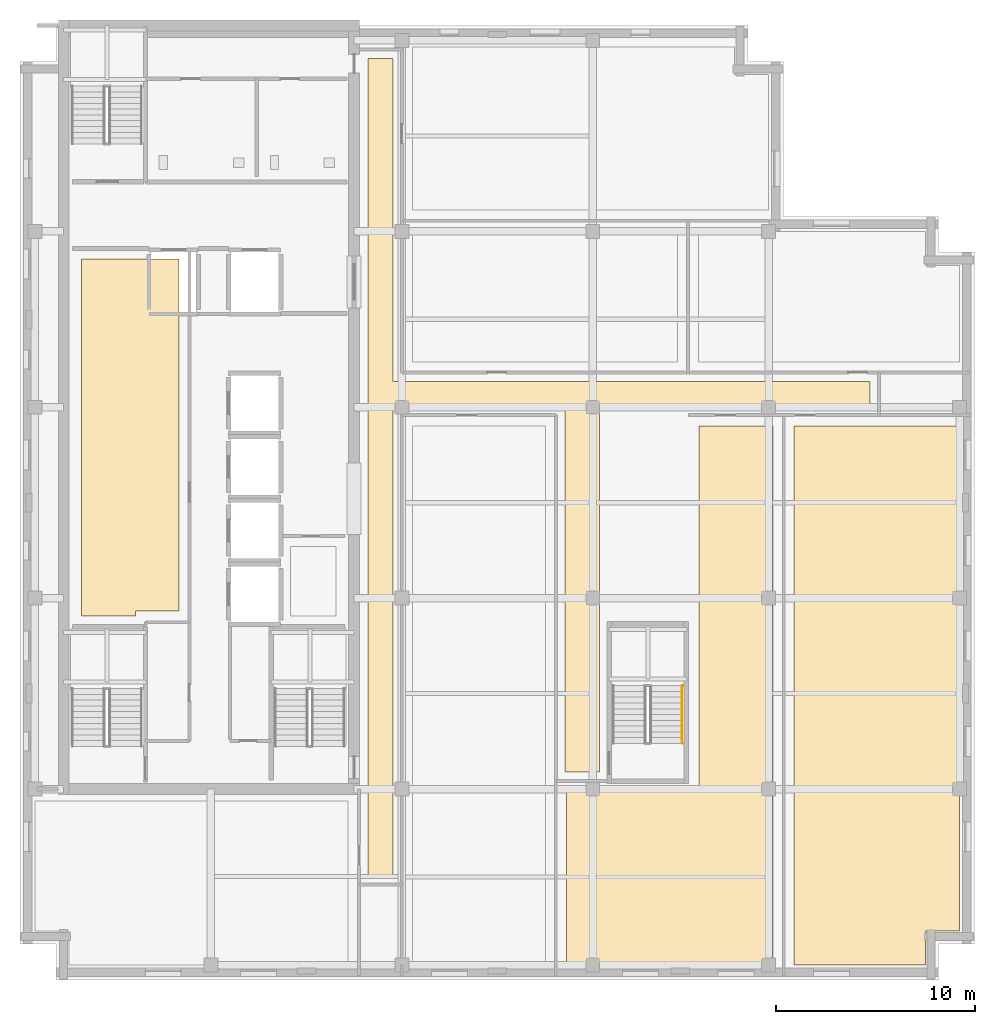
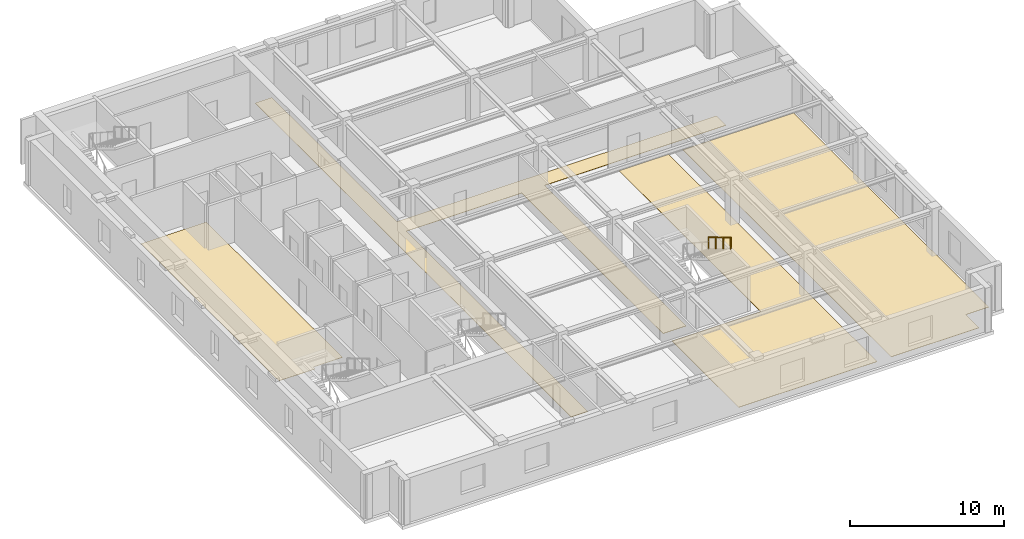
# One storey, part 7 of 10: 4 coverings, 1 railing.
"""IFC4 building model written with IfcOpenShell, lengths in metres."""

import ifcopenshell
import ifcopenshell.guid

model = None  # the IFC model being written
_history = None  # IfcOwnerHistory: only IFC2X3 demands one
_inside = {}  # id of a spatial element -> (the spatial element, [elements in it])
_under = {}  # id of a project, library or spatial element -> (it, [spatial elements below it])
_declared = {}  # id of a project -> (the project, [libraries it declares])
_typed = {}  # id of a type object -> (the type object, [elements of that type])
_made_of = {}  # id of a material, layer set ... -> (it, [elements and type objects made of it])


def new_model(schema):
    """Start an empty IFC model of exactly this schema.

    Asked for "IFC4X3", IfcOpenShell would pick the latest addendum, in which some entities
    have other attributes; the version numbers below select the first issue.
    IFC2X3 requires an IfcOwnerHistory on every rooted entity: one is made here for all.
    """
    global model, _history
    if schema == "IFC4X3":
        model = ifcopenshell.file(schema_version=(4, 3, 0, 0))
    else:
        model = ifcopenshell.file(schema=schema)
    _inside.clear()
    _under.clear()
    _declared.clear()
    _typed.clear()
    _made_of.clear()
    _history = None
    if model.schema == "IFC2X3":
        org = make("IfcOrganization", Name="unknown")
        user = make(
            "IfcPersonAndOrganization",
            ThePerson=make("IfcPerson", FamilyName="unknown"),
            TheOrganization=org,
        )
        app = make(
            "IfcApplication",
            ApplicationDeveloper=org,
            Version="unknown",
            ApplicationFullName="unknown",
            ApplicationIdentifier="unknown",
        )
        _history = make(
            "IfcOwnerHistory",
            OwningUser=user,
            OwningApplication=app,
            ChangeAction="ADDED",
            CreationDate=0,
        )
    return model


def make(cls, **values):
    """One entity of the class cls with the attributes given. An attribute that is None is left unset."""
    return model.create_entity(
        cls, **{name: value for name, value in values.items() if value is not None}
    )


def rooted(cls, **values):
    """An entity with a GlobalId (a new one), such as an element, a storey or a relation."""
    return make(cls, GlobalId=ifcopenshell.guid.new(), OwnerHistory=_history, **values)


def si_unit(unit_type, name, prefix=None):
    """IfcSIUnit, for example si_unit("LENGTHUNIT", "METRE", prefix="MILLI")."""
    return make("IfcSIUnit", UnitType=unit_type, Prefix=prefix, Name=name)


def assignment(units):
    """IfcUnitAssignment: the units of a project."""
    return None if units is None else make("IfcUnitAssignment", Units=units)


def point(xyz):
    """IfcCartesianPoint."""
    return None if xyz is None else make("IfcCartesianPoint", Coordinates=xyz)


def direction(xyz):
    """IfcDirection."""
    return None if xyz is None else make("IfcDirection", DirectionRatios=xyz)


def frame(location, z_axis=None, x_axis=None):
    """IfcAxis2Placement3D, a coordinate frame: its origin and axes. An axis left out is left unset."""
    return make(
        "IfcAxis2Placement3D",
        Location=point(location),
        Axis=direction(z_axis),
        RefDirection=direction(x_axis),
    )


def frame_2d(location, x_axis=None):
    """IfcAxis2Placement2D, a coordinate frame in the plane: its origin and x axis."""
    return make(
        "IfcAxis2Placement2D", Location=point(location), RefDirection=direction(x_axis)
    )


def origin():
    """The frame at (0, 0, 0) with its axes left unset."""
    return frame((0.0, 0.0, 0.0))


def origin_2d():
    """The frame at (0, 0) in the plane with its x axis left unset."""
    return frame_2d((0.0, 0.0))


def place(relative_to, where):
    """IfcLocalPlacement: puts the frame where relative to a parent placement (None: the world)."""
    return make(
        "IfcLocalPlacement", PlacementRelTo=relative_to, RelativePlacement=where
    )


def context(
    kind, dimensions, precision=None, world=None, true_north=None, identifier=None
):
    """IfcGeometricRepresentationContext, for example the 3D "Model" context."""
    return make(
        "IfcGeometricRepresentationContext",
        ContextIdentifier=identifier,
        ContextType=kind,
        CoordinateSpaceDimension=dimensions,
        Precision=precision,
        WorldCoordinateSystem=world,
        TrueNorth=true_north,
    )


def subcontext(parent, identifier, kind, view, scale=None):
    """IfcGeometricRepresentationSubContext, for example "Body" below "Model"."""
    return make(
        "IfcGeometricRepresentationSubContext",
        ContextIdentifier=identifier,
        ContextType=kind,
        ParentContext=parent,
        TargetScale=scale,
        TargetView=view,
    )


def project(units=None, contexts=None):
    """IfcProject with its units and contexts."""
    return rooted(
        "IfcProject",
        Name="project",
        RepresentationContexts=contexts,
        UnitsInContext=assignment(units),
    )


def spatial(cls, under=None, at=None, **own):
    """A site, building, storey or space (cls), placed at a placement, below another one or the project."""
    s = rooted(cls, ObjectPlacement=at, **own)
    if under is not None:
        _under.setdefault(under.id(), (under, []))[1].append(s)
    return s


def polyline(points):
    """IfcPolyline through the points."""
    return make("IfcPolyline", Points=[point(p) for p in points])


def profile(cls, at=None, kind="AREA", **sizes):
    """A parametric profile (cls). Its sizes go by their IFC names, for example OverallWidth=200.0."""
    return make(cls, ProfileType=kind, Position=at, **sizes)


def circle(**sizes):
    """IfcCircleProfileDef."""
    return profile("IfcCircleProfileDef", **sizes)


def outline(outer, holes=None, kind="AREA"):
    """IfcArbitraryClosedProfileDef: a profile drawn as a closed curve; with holes, ...WithVoids."""
    if holes is None:
        return make("IfcArbitraryClosedProfileDef", ProfileType=kind, OuterCurve=outer)
    return make(
        "IfcArbitraryProfileDefWithVoids",
        ProfileType=kind,
        OuterCurve=outer,
        InnerCurves=holes,
    )


def extrude(swept, where, along, depth):
    """IfcExtrudedAreaSolid: the profile swept, set in the frame where, extruded along a direction by depth."""
    return make(
        "IfcExtrudedAreaSolid",
        SweptArea=swept,
        Position=where,
        ExtrudedDirection=direction(along),
        Depth=depth,
    )


def shape(context_of_items, identifier, shape_type, items):
    """IfcShapeRepresentation: the items that make up one representation, for example the "Body"."""
    return make(
        "IfcShapeRepresentation",
        ContextOfItems=context_of_items,
        RepresentationIdentifier=identifier,
        RepresentationType=shape_type,
        Items=items,
    )


def material(Name=None, Category=None):
    """IfcMaterial."""
    return make("IfcMaterial", Name=Name, Category=Category)


def layer(
    of_material, thickness, ventilated=None, Name=None, Category=None, Priority=None
):
    """IfcMaterialLayer: one layer of a wall or slab, of a material (None: an air gap)."""
    return make(
        "IfcMaterialLayer",
        Material=of_material,
        LayerThickness=thickness,
        IsVentilated=ventilated,
        Name=Name,
        Category=Category,
        Priority=Priority,
    )


def layer_set(layers, Name=None):
    """IfcMaterialLayerSet."""
    return make("IfcMaterialLayerSet", MaterialLayers=layers, LayerSetName=Name)


def made_of(thing, what):
    """Note that an element or type object is made of a material, layer set ...; save() writes the relation."""
    if what is not None:
        _made_of.setdefault(what.id(), (what, []))[1].append(thing)
    return thing


def type_object(cls, material=None, **own):
    """A type object (cls), such as IfcWallType, which elements share."""
    return made_of(rooted(cls, **own), material)


def element(
    cls,
    number,
    at=None,
    inside=None,
    cuts=None,
    type_object=None,
    material=None,
    context=None,
    identifier="Body",
    shape_type=None,
    held_by="IfcProductDefinitionShape",
    body=None,
    shapes=None,
    **own,
):
    """One element of the class cls, such as IfcWall. Its Tag is "e" and its number.

    at: its placement. inside: the storey or other place that contains it. cuts: it is an
    opening in that element (IfcRelVoidsElement). A single representation is given by context,
    identifier, shape_type and body (its items); several are given by shapes. held_by: the class
    of the entity that holds the representations. save() writes the other relations.
    """
    e = rooted(cls, Tag="e%d" % number, ObjectPlacement=at, **own)
    if body is not None:
        shapes = [shape(context, identifier, shape_type, body)]
    if shapes is not None:
        e.Representation = make(held_by, Representations=shapes)
    if inside is not None:
        _inside.setdefault(inside.id(), (inside, []))[1].append(e)
    if cuts is not None:
        rooted(
            "IfcRelVoidsElement", RelatingBuildingElement=cuts, RelatedOpeningElement=e
        )
    if type_object is not None:
        _typed.setdefault(type_object.id(), (type_object, []))[1].append(e)
    return made_of(e, material)


def aggregate(whole, parts):
    """IfcRelAggregates: a whole, such as a stair, and the parts it consists of."""
    return rooted("IfcRelAggregates", RelatingObject=whole, RelatedObjects=parts)


def save(model, path):
    """Write the relations noted so far, then the file.

    IfcRelAggregates (storeys below a building ...), IfcRelContainedInSpatialStructure (elements
    in a storey), IfcRelDefinesByType, IfcRelAssociatesMaterial and IfcRelDeclares: one each for
    every whole, place, type object, material and project.
    """
    for whole, parts in _under.values():
        aggregate(whole, parts)
    for where, things in _inside.values():
        rooted(
            "IfcRelContainedInSpatialStructure",
            RelatedElements=things,
            RelatingStructure=where,
        )
    for kind, things in _typed.values():
        rooted("IfcRelDefinesByType", RelatedObjects=things, RelatingType=kind)
    for what, things in _made_of.values():
        rooted("IfcRelAssociatesMaterial", RelatedObjects=things, RelatingMaterial=what)
    for by, libraries in _declared.values():
        rooted("IfcRelDeclares", RelatingContext=by, RelatedDefinitions=libraries)
    model.write(path)


model = new_model("IFC4")

# Units and contexts
model_context = context("Model", 3, precision=1e-05, world=origin(), true_north=direction((0.0, 1.0)))
body_context = subcontext(model_context, "Body", "Model", "MODEL_VIEW")
ifc_project = project(units=[si_unit("LENGTHUNIT", "METRE"), si_unit("AREAUNIT", "SQUARE_METRE"), si_unit("VOLUMEUNIT", "CUBIC_METRE"), si_unit("PLANEANGLEUNIT", "RADIAN"), si_unit("MASSUNIT", "GRAM", prefix="KILO")], contexts=[model_context])

# Site, building, storey
site_placement = place(None, origin())
site = spatial("IfcSite", under=ifc_project, at=site_placement, CompositionType="ELEMENT")
building_placement = place(site_placement, origin())
building = spatial("IfcBuilding", under=site, at=building_placement, Name="Norrvale University Quadrangle", CompositionType="ELEMENT")
storey_placement = place(building_placement, frame((0.0, 0.0, 292.39990234375)))
storey = spatial("IfcBuildingStorey", under=building, at=storey_placement, Name="L74", CompositionType="ELEMENT", Elevation=292.39990234375)

# Coverings
ifc_material_1 = material(Name="Polished Terrazzo Flooring")
ifc_layer = layer(ifc_material_1, 0.02490234375, Name="Polished Terrazzo Flooring")
ifc_layer_set = layer_set([ifc_layer], Name="Polished Terrazzo Flooring")
covering_type = type_object("IfcCoveringType", Name="Covering Terrazzo Floor 30", PredefinedType="FLOORING", material=ifc_layer_set)
covering_1_placement = place(storey_placement, origin())
element("IfcCovering", 1, at=covering_1_placement, inside=storey, type_object=covering_type, Name="Terrazzo Flooring RM-L74-REC2", PredefinedType="FLOORING", context=body_context, shape_type="SweptSolid", body=[
    extrude(outline(polyline([(3.10009765625, 18.300048828125), (3.10009765625, 36.25), (8.0, 36.25), (8.0, 18.550048828125), (5.800048828125, 18.550048828125), (5.800048828125, 18.300048828125), (3.10009765625, 18.300048828125)])), origin(), (0.0, 0.0, 1.0), 0.025146484375),
])
covering_2_placement = place(storey_placement, origin())
element("IfcCovering", 2, at=covering_2_placement, inside=storey, type_object=covering_type, Name="Terrazzo Flooring RM-L74-CORR1", PredefinedType="FLOORING", context=body_context, shape_type="SweptSolid", body=[
    extrude(outline(polyline([(17.5, 5.25), (17.5, 46.35009765625), (18.75, 46.35009765625), (18.75, 30.10009765625), (42.75, 30.10009765625), (42.75, 28.85009765625), (29.1298828125, 28.85009765625), (29.1298828125, 10.449951171875), (27.39990234375, 10.449951171875), (27.39990234375, 28.85009765625), (18.75, 28.85009765625), (18.75, 5.25), (17.5, 5.25)])), origin(), (0.0, 0.0, 1.0), 0.025146484375),
])
covering_3_placement = place(storey_placement, origin())
element("IfcCovering", 3, at=covering_3_placement, inside=storey, type_object=covering_type, Name="Terrazzo Flooring RM-L74-SE2", PredefinedType="FLOORING", context=body_context, shape_type="SweptSolid", body=[
    extrude(outline(polyline([(27.47998046875, 9.449951171875), (34.14990234375, 9.449951171875), (34.14990234375, 27.8701171875), (37.8701171875, 27.8701171875), (37.8701171875, 0.75), (27.47998046875, 0.75), (27.47998046875, 9.449951171875)])), origin(), (0.0, 0.0, 1.0), 0.025146484375),
])
covering_4_placement = place(storey_placement, origin())
element("IfcCovering", 4, at=covering_4_placement, inside=storey, type_object=covering_type, Name="Terrazzo Flooring RM-L74-SE3", PredefinedType="FLOORING", context=body_context, shape_type="SweptSolid", body=[
    extrude(outline(polyline([(38.929931640625, 0.75), (38.929931640625, 27.8701171875), (47.25, 27.8701171875), (47.25, 2.469970703125), (45.530029296875, 2.469970703125), (45.530029296875, 0.75), (38.929931640625, 0.75)])), origin(), (0.0, 0.0, 1.0), 0.025146484375),
])

# Railing
ifc_material_2 = material(Name="Stainless Steel 316L Handrail", Category="steel")
railing_type = type_object("IfcRailingType", Name="Railing Stair Handrail 920", PredefinedType="HANDRAIL", material=ifc_material_2)
railing_placement = place(storey_placement, frame((33.31005859375, 14.800048828125, 2.07275390625)))
element("IfcRailing", 5, at=railing_placement, inside=storey, type_object=railing_type, Name="Stair Upper Flight Handrail ST-04 L74", PredefinedType="HANDRAIL", context=body_context, shape_type="SweptSolid", body=[
    extrude(circle(Radius=0.02392578125, at=origin_2d()), frame((0.0, 0.0, 0.89599609375), z_axis=(0.0, -0.859160404282, 0.51170636083), x_axis=(1.0, 0.0, 0.0)), (0.0, 0.0, 1.0), 3.37548828125),
    extrude(circle(Radius=0.02099609375, at=origin_2d()), origin(), (0.0, 0.0, 1.0), 0.871826171875),
    extrude(circle(Radius=0.02099609375, at=origin_2d()), frame((0.0, -0.966796875, 0.57568359375)), (0.0, 0.0, 1.0), 0.871826171875),
    extrude(circle(Radius=0.02099609375, at=origin_2d()), frame((0.0, -1.933349609375, 1.151611328125)), (0.0, 0.0, 1.0), 0.871826171875),
    extrude(circle(Radius=0.02099609375, at=origin_2d()), frame((0.0, -2.900146484375, 1.727294921875)), (0.0, 0.0, 1.0), 0.871826171875),
])

save(model, "model.ifc")
